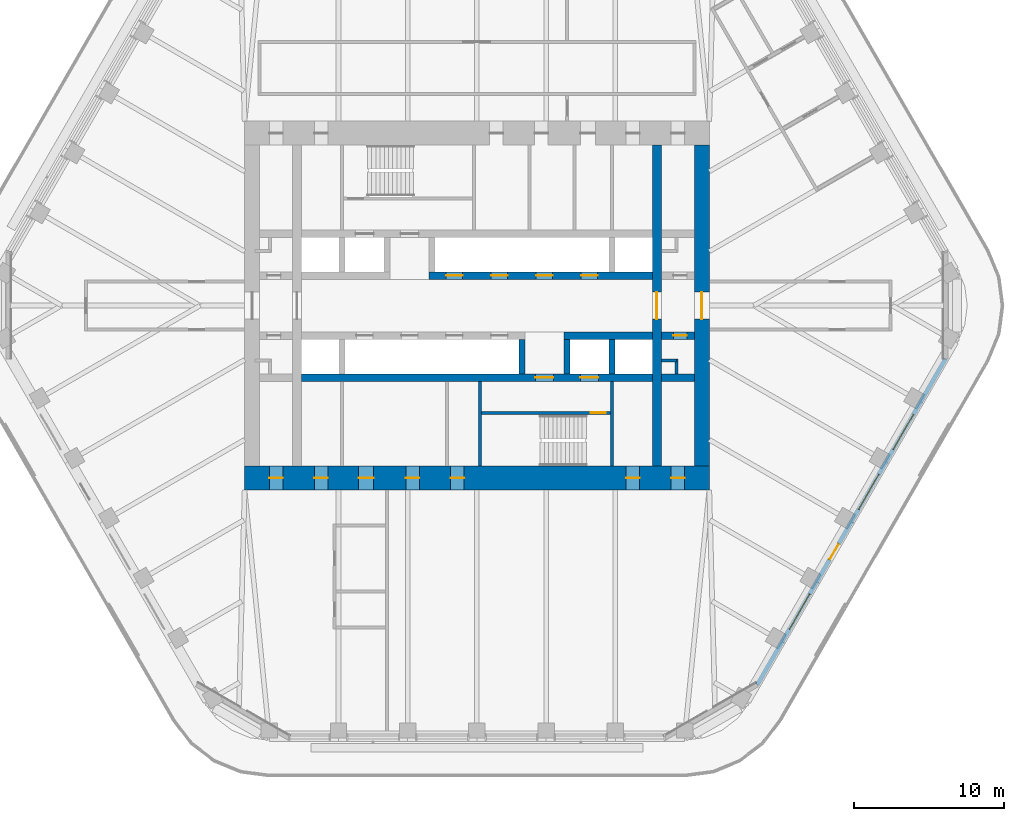
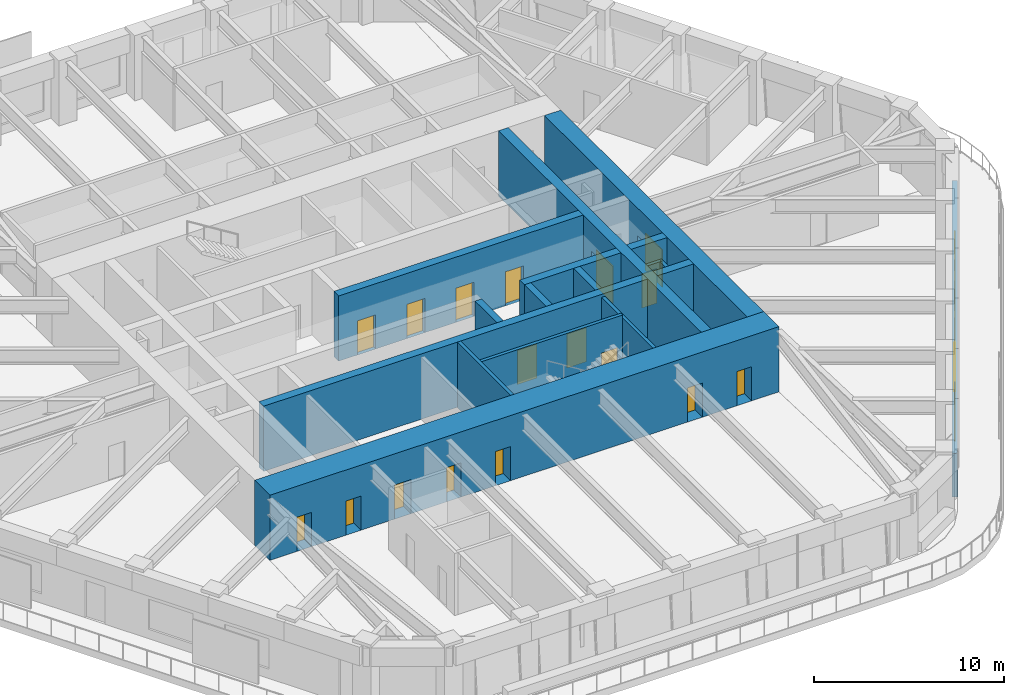
# One storey, part 15 of 20: 18 doors, 17 walls, 3 windows, 21 openings.
"""IFC4 building model written with IfcOpenShell, lengths in metres."""

from ifc_helpers import new_model, si_unit, direction, frame, frame_2d, origin, place, context, subcontext, project, spatial, rectangle, extrude, material, layer, layer_set, type_object, element, fill, save


model = new_model("IFC4")

# Units and contexts
model_context = context("Model", 3, precision=1e-05, world=origin(), true_north=direction((0.0, 1.0)))
body_context = subcontext(model_context, "Body", "Model", "MODEL_VIEW")
ifc_project = project(units=[si_unit("LENGTHUNIT", "METRE"), si_unit("AREAUNIT", "SQUARE_METRE"), si_unit("VOLUMEUNIT", "CUBIC_METRE"), si_unit("PLANEANGLEUNIT", "RADIAN"), si_unit("MASSUNIT", "GRAM", prefix="KILO")], contexts=[model_context])

# Site, building, storey
site_placement = place(None, origin())
site = spatial("IfcSite", under=ifc_project, at=site_placement, CompositionType="ELEMENT")
building_placement = place(site_placement, origin())
building = spatial("IfcBuilding", under=site, at=building_placement, Name="Tarfa Lantern Tower", CompositionType="ELEMENT")
storey_placement = place(building_placement, frame((0.0, 0.0, 291.10009765625)))
storey = spatial("IfcBuildingStorey", under=building, at=storey_placement, Name="L66", CompositionType="ELEMENT", Elevation=291.10009765625)

# Wall, openings, door, windows
ifc_material_1 = material(Name="Limestone cladding on blockwork", Category="masonry")
ifc_layer_1 = layer(ifc_material_1, 0.300048828125)
ifc_layer_set_1 = layer_set([ifc_layer_1], Name="EW1 STONE-CLAD WALL 300")
wall_type_1 = type_object("IfcWallType", Name="EW1 STONE-CLAD WALL 300", PredefinedType="SOLIDWALL", material=ifc_layer_set_1)
wall_1_placement = place(storey_placement, frame((18.70654296875, -25.299072265625, 0.0), z_axis=(0.0, 0.0, 1.0), x_axis=(0.500000442367, 0.866025148383, 0.0)))
wall_1 = element("IfcWall", 1, at=wall_1_placement, inside=storey, type_object=wall_type_1, Name="Stone wall SE", PredefinedType="SOLIDWALL", context=body_context, shape_type="SweptSolid", body=[
    extrude(rectangle(XDim=25.11279296875, YDim=0.300048828125, at=frame_2d((12.556396484375, 0.0))), origin(), (0.0, 0.0, 1.0), 2.7998046875),
])
opening_1_placement = place(wall_1_placement, frame((4.2783203125, 0.0, 0.60009765625)))
opening_1 = element("IfcOpeningElement", 2, at=opening_1_placement, cuts=wall_1, Name="Opening W14", PredefinedType="OPENING", context=body_context, shape_type="SweptSolid", body=[
    extrude(rectangle(XDim=2.699951171875, YDim=1.949951171875, at=frame_2d((1.35009765625, 0.97509765625))), frame((0.0, 0.159912109375, 0.0), z_axis=(0.0, -1.0, 0.0), x_axis=(1.0, 0.0, 0.0)), (0.0, 0.0, 1.0), 0.320068359375),
])
opening_2_placement = place(wall_1_placement, frame((9.64697265625, 0.0, 0.0)))
opening_2 = element("IfcOpeningElement", 3, at=opening_2_placement, cuts=wall_1, Name="Opening D44", PredefinedType="OPENING", context=body_context, shape_type="SweptSolid", body=[
    extrude(rectangle(XDim=1.199951171875, YDim=2.39990234375, at=frame_2d((0.60009765625, 1.199951171875))), frame((0.0, 0.159912109375, 0.0), z_axis=(0.0, -1.0, 0.0), x_axis=(1.0, 0.0, 0.0)), (0.0, 0.0, 1.0), 0.320068359375),
])
opening_3_placement = place(wall_1_placement, frame((13.515869140625, 0.0, 0.60009765625)))
opening_3 = element("IfcOpeningElement", 4, at=opening_3_placement, cuts=wall_1, Name="Opening W14", PredefinedType="OPENING", context=body_context, shape_type="SweptSolid", body=[
    extrude(rectangle(XDim=2.699951171875, YDim=1.949951171875, at=frame_2d((1.35009765625, 0.97509765625))), frame((0.0, 0.159912109375, 0.0), z_axis=(0.0, -1.0, 0.0), x_axis=(1.0, 0.0, 0.0)), (0.0, 0.0, 1.0), 0.320068359375),
])
opening_4_placement = place(wall_1_placement, frame((18.134521484375, 0.0, 0.60009765625)))
opening_4 = element("IfcOpeningElement", 5, at=opening_4_placement, cuts=wall_1, Name="Opening W14", PredefinedType="OPENING", context=body_context, shape_type="SweptSolid", body=[
    extrude(rectangle(XDim=2.699951171875, YDim=1.949951171875, at=frame_2d((1.35009765625, 0.97509765625))), frame((0.0, 0.159912109375, 0.0), z_axis=(0.0, -1.0, 0.0), x_axis=(1.0, 0.0, 0.0)), (0.0, 0.0, 1.0), 0.320068359375),
])
ifc_material_2 = material(Name="Aluminium framed glazed door", Category="aluminium")
door_type_1 = type_object("IfcDoorType", Name="BE3 BALCONY DOOR 1200x2400", OperationType="SINGLE_SWING_RIGHT", PredefinedType="DOOR", material=ifc_material_2)
door_1_placement = place(opening_2_placement, origin())
door_1 = element("IfcDoor", 6, at=door_1_placement, inside=storey, type_object=door_type_1, Name="Balcony door SE", OperationType="SINGLE_SWING_RIGHT", OverallHeight=2.39990234375, OverallWidth=1.199951171875, PredefinedType="DOOR", context=body_context, shape_type="SweptSolid", body=[
    extrude(rectangle(XDim=1.199951171875, YDim=2.39990234375, at=frame_2d((0.60009765625, 1.199951171875))), frame((0.0, 0.02490234375, 0.0), z_axis=(0.0, -1.0, 0.0), x_axis=(1.0, 0.0, 0.0)), (0.0, 0.0, 1.0), 0.050048828125),
])
fill(opening_2, door_1)
ifc_material_3 = material(Name="Aluminium frame, double glazed", Category="aluminium")
window_type = type_object("IfcWindowType", Name="W14 FULL-HEIGHT GLAZING 2700x1950", PartitioningType="SINGLE_PANEL", PredefinedType="WINDOW", material=ifc_material_3)
window_1_placement = place(opening_1_placement, origin())
window_1 = element("IfcWindow", 7, at=window_1_placement, inside=storey, type_object=window_type, Name="Window SE 2", OverallHeight=1.949951171875, OverallWidth=2.699951171875, PartitioningType="SINGLE_PANEL", PredefinedType="WINDOW", context=body_context, shape_type="SweptSolid", body=[
    extrude(rectangle(XDim=2.699951171875, YDim=1.949951171875, at=frame_2d((1.35009765625, 0.97509765625))), frame((0.0, 0.030029296875, 0.0), z_axis=(0.0, -1.0, 0.0), x_axis=(1.0, 0.0, 0.0)), (0.0, 0.0, 1.0), 0.06005859375),
])
fill(opening_1, window_1)
window_2_placement = place(opening_3_placement, origin())
window_2 = element("IfcWindow", 8, at=window_2_placement, inside=storey, type_object=window_type, Name="Window SE 4", OverallHeight=1.949951171875, OverallWidth=2.699951171875, PartitioningType="SINGLE_PANEL", PredefinedType="WINDOW", context=body_context, shape_type="SweptSolid", body=[
    extrude(rectangle(XDim=2.699951171875, YDim=1.949951171875, at=frame_2d((1.35009765625, 0.97509765625))), frame((0.0, 0.030029296875, 0.0), z_axis=(0.0, -1.0, 0.0), x_axis=(1.0, 0.0, 0.0)), (0.0, 0.0, 1.0), 0.06005859375),
])
fill(opening_3, window_2)
window_3_placement = place(opening_4_placement, origin())
window_3 = element("IfcWindow", 9, at=window_3_placement, inside=storey, type_object=window_type, Name="Window SE 5", OverallHeight=1.949951171875, OverallWidth=2.699951171875, PartitioningType="SINGLE_PANEL", PredefinedType="WINDOW", context=body_context, shape_type="SweptSolid", body=[
    extrude(rectangle(XDim=2.699951171875, YDim=1.949951171875, at=frame_2d((1.35009765625, 0.97509765625))), frame((0.0, 0.030029296875, 0.0), z_axis=(0.0, -1.0, 0.0), x_axis=(1.0, 0.0, 0.0)), (0.0, 0.0, 1.0), 0.06005859375),
])
fill(opening_4, window_3)

# Walls
ifc_material_4 = material(Name="Concrete blockwork", Category="masonry")
ifc_layer_2 = layer(ifc_material_4, 0.199951171875)
ifc_layer_set_2 = layer_set([ifc_layer_2], Name="IW1 BLOCKWORK PARTITION 200 EI 120")
wall_type_2 = type_object("IfcWallType", Name="IW1 BLOCKWORK PARTITION 200 EI 120", PredefinedType="PARTITIONING", material=ifc_layer_set_2)
wall_2_placement = place(storey_placement, frame((9.0, -5.050048828125, 0.0), z_axis=(0.0, 0.0, 1.0), x_axis=(0.0, -1.0, 0.0)))
element("IfcWall", 10, at=wall_2_placement, inside=storey, type_object=wall_type_2, Name="Core partition", PredefinedType="PARTITIONING", context=body_context, shape_type="SweptSolid", body=[
    extrude(rectangle(XDim=5.64990234375, YDim=0.199951171875, at=frame_2d((2.824951171875, 0.0))), origin(), (0.0, 0.0, 1.0), 4.0),
])
for number, where, z_axis, x_axis, name in (
    (11, (13.300048828125, -3.64990234375, 0.0), (0.0, 0.0, 1.0), (-1.0, 0.0, 0.0), "Core partition"),
    (12, (13.300048828125, -3.550048828125, 0.0), (0.0, 0.0, 1.0), (0.0, -1.0, 0.0), "Core partition"),
):
    element("IfcWall", number, at=place(storey_placement, frame(where, z_axis=z_axis, x_axis=x_axis)), inside=storey, type_object=wall_type_2, Name=name, PredefinedType="PARTITIONING", context=body_context, shape_type="SweptSolid", body=[
        extrude(rectangle(XDim=1.0, YDim=0.199951171875, at=frame_2d((0.5, 0.0))), origin(), (0.0, 0.0, 1.0), 4.0),
    ])
ifc_material_5 = material(Name="Concrete C80/95", Category="concrete")
ifc_layer_3 = layer(ifc_material_5, 0.199951171875)
ifc_layer_set_3 = layer_set([ifc_layer_3], Name="SW12 CORE WALL 200")
wall_type_3 = type_object("IfcWallType", Name="SW12 CORE WALL 200", PredefinedType="SHEAR", material=ifc_layer_set_3)
wall_3_placement = place(storey_placement, frame((0.199951171875, -5.050048828125, 0.0), z_axis=(0.0, 0.0, 1.0), x_axis=(0.0, -1.0, 0.0)))
element("IfcWall", 13, at=wall_3_placement, inside=storey, type_object=wall_type_3, Name="Core wall stair shaft S", PredefinedType="SHEAR", context=body_context, shape_type="SweptSolid", body=[
    extrude(rectangle(XDim=5.64990234375, YDim=0.199951171875, at=frame_2d((2.824951171875, 0.0))), origin(), (0.0, 0.0, 1.0), 4.199951171875),
])

# Wall, opening, door
wall_4_placement = place(storey_placement, frame((8.89990234375, -7.14990234375, 0.0), z_axis=(0.0, 0.0, 1.0), x_axis=(-1.0, 0.0, 0.0)))
wall_4 = element("IfcWall", 14, at=wall_4_placement, inside=storey, type_object=wall_type_3, Name="Core wall stair partition S", PredefinedType="SHEAR", context=body_context, shape_type="SweptSolid", body=[
    extrude(rectangle(XDim=8.599853515625, YDim=0.199951171875, at=frame_2d((4.2998046875, 0.0))), origin(), (0.0, 0.0, 1.0), 4.199951171875),
])
opening_5_placement = place(wall_4_placement, frame((0.300048828125, 0.0, 0.0)))
opening_5 = element("IfcOpeningElement", 15, at=opening_5_placement, cuts=wall_4, Name="Opening D24", PredefinedType="OPENING", context=body_context, shape_type="SweptSolid", body=[
    extrude(rectangle(XDim=1.0, YDim=2.199951171875, at=frame_2d((0.5, 1.10009765625))), frame((0.0, 0.10986328125, 0.0), z_axis=(0.0, -1.0, 0.0), x_axis=(1.0, 0.0, 0.0)), (0.0, 0.0, 1.0), 0.219970703125),
])
ifc_material_6 = material(Name="Steel fire door", Category="steel")
door_type_2 = type_object("IfcDoorType", Name="DF2 STAIR DOOR 1000x2200", OperationType="SINGLE_SWING_LEFT", PredefinedType="DOOR", material=ifc_material_6)
door_2_placement = place(opening_5_placement, origin())
door_2 = element("IfcDoor", 16, at=door_2_placement, inside=storey, type_object=door_type_2, Name="Stair door", OperationType="SINGLE_SWING_RIGHT", OverallHeight=2.199951171875, OverallWidth=1.0, PredefinedType="DOOR", context=body_context, shape_type="SweptSolid", body=[
    extrude(rectangle(XDim=1.0, YDim=2.199951171875, at=frame_2d((0.5, 1.10009765625))), frame((0.0, 0.02490234375, 0.0), z_axis=(0.0, -1.0, 0.0), x_axis=(1.0, 0.0, 0.0)), (0.0, 0.0, 1.0), 0.050048828125),
])
fill(opening_5, door_2)

ifc_layer_4 = layer(ifc_material_5, 1.0)
ifc_layer_set_4 = layer_set([ifc_layer_4], Name="SW2 CORE WALL 1000")
wall_type_4 = type_object("IfcWallType", Name="SW2 CORE WALL 1000", PredefinedType="SHEAR", material=ifc_layer_set_4)
wall_5_placement = place(storey_placement, frame((15.0, -10.699951171875, 0.0), z_axis=(0.0, 0.0, 1.0), x_axis=(0.0, 1.0, 0.0)))
wall_5 = element("IfcWall", 17, at=wall_5_placement, inside=storey, type_object=wall_type_4, Name="Core wall E", PredefinedType="SHEAR", context=body_context, shape_type="SweptSolid", body=[
    extrude(rectangle(XDim=21.39990234375, YDim=1.0, at=frame_2d((10.699951171875, 0.0))), origin(), (0.0, 0.0, 1.0), 4.199951171875),
])
opening_6_placement = place(wall_5_placement, frame((9.800048828125, 0.0, 0.0)))
opening_6 = element("IfcOpeningElement", 18, at=opening_6_placement, cuts=wall_5, Name="Opening D11", PredefinedType="OPENING", context=body_context, shape_type="SweptSolid", body=[
    extrude(rectangle(XDim=1.800048828125, YDim=2.39990234375, at=frame_2d((0.89990234375, 1.199951171875))), frame((0.0, 0.510009765625, 0.0), z_axis=(0.0, -1.0, 0.0), x_axis=(1.0, 0.0, 0.0)), (0.0, 0.0, 1.0), 1.02001953125),
])
door_type_3 = type_object("IfcDoorType", Name="DL1 LOBBY DOOR 1800x2400", OperationType="DOUBLE_DOOR_SINGLE_SWING", PredefinedType="DOOR", material=ifc_material_6)
door_3_placement = place(opening_6_placement, frame((1.800048828125, 0.0, 0.0), z_axis=(0.0, 0.0, 1.0), x_axis=(-1.0, 0.0, 0.0)))
door_3 = element("IfcDoor", 19, at=door_3_placement, inside=storey, type_object=door_type_3, Name="Lift lobby door", OperationType="DOUBLE_DOOR_SINGLE_SWING", OverallHeight=2.39990234375, OverallWidth=1.800048828125, PredefinedType="DOOR", context=body_context, shape_type="SweptSolid", body=[
    extrude(rectangle(XDim=1.800048828125, YDim=2.39990234375, at=frame_2d((0.89990234375, 1.199951171875))), frame((0.0, 0.02490234375, 0.0), z_axis=(0.0, -1.0, 0.0), x_axis=(1.0, 0.0, 0.0)), (0.0, 0.0, 1.0), 0.050048828125),
])
fill(opening_6, door_3)

# Wall, openings, doors
ifc_layer_5 = layer(ifc_material_5, 0.5)
ifc_layer_set_5 = layer_set([ifc_layer_5], Name="SW5 CORE WALL 500")
wall_type_5 = type_object("IfcWallType", Name="SW5 CORE WALL 500", PredefinedType="SHEAR", material=ifc_layer_set_5)
wall_6_placement = place(storey_placement, frame((-3.199951171875, 2.0, 0.0), z_axis=(0.0, 0.0, 1.0), x_axis=(1.0, 0.0, 0.0)))
wall_6 = element("IfcWall", 20, at=wall_6_placement, inside=storey, type_object=wall_type_5, Name="Core wall lobby east N", PredefinedType="SHEAR", context=body_context, shape_type="SweptSolid", body=[
    extrude(rectangle(XDim=14.89990234375, YDim=0.5, at=frame_2d((7.449951171875, 0.0))), origin(), (0.0, 0.0, 1.0), 4.199951171875),
])
opening_7_placement = place(wall_6_placement, frame((1.14990234375, 0.0, 0.0)))
opening_7 = element("IfcOpeningElement", 21, at=opening_7_placement, cuts=wall_6, Name="Opening LD03", PredefinedType="OPENING", context=body_context, shape_type="SweptSolid", body=[
    extrude(rectangle(XDim=1.10009765625, YDim=2.199951171875, at=frame_2d((0.550048828125, 1.10009765625))), frame((0.0, 0.260009765625, 0.0), z_axis=(0.0, -1.0, 0.0), x_axis=(1.0, 0.0, 0.0)), (0.0, 0.0, 1.0), 0.52001953125),
])
opening_8_placement = place(wall_6_placement, frame((4.14990234375, 0.0, 0.0)))
opening_8 = element("IfcOpeningElement", 22, at=opening_8_placement, cuts=wall_6, Name="Opening LD04", PredefinedType="OPENING", context=body_context, shape_type="SweptSolid", body=[
    extrude(rectangle(XDim=1.10009765625, YDim=2.199951171875, at=frame_2d((0.550048828125, 1.10009765625))), frame((0.0, 0.260009765625, 0.0), z_axis=(0.0, -1.0, 0.0), x_axis=(1.0, 0.0, 0.0)), (0.0, 0.0, 1.0), 0.52001953125),
])
opening_9_placement = place(wall_6_placement, frame((7.14990234375, 0.0, 0.0)))
opening_9 = element("IfcOpeningElement", 23, at=opening_9_placement, cuts=wall_6, Name="Opening LD05", PredefinedType="OPENING", context=body_context, shape_type="SweptSolid", body=[
    extrude(rectangle(XDim=1.10009765625, YDim=2.199951171875, at=frame_2d((0.550048828125, 1.10009765625))), frame((0.0, 0.260009765625, 0.0), z_axis=(0.0, -1.0, 0.0), x_axis=(1.0, 0.0, 0.0)), (0.0, 0.0, 1.0), 0.52001953125),
])
opening_10_placement = place(wall_6_placement, frame((10.14990234375, 0.0, 0.0)))
opening_10 = element("IfcOpeningElement", 24, at=opening_10_placement, cuts=wall_6, Name="Opening LD06", PredefinedType="OPENING", context=body_context, shape_type="SweptSolid", body=[
    extrude(rectangle(XDim=1.10009765625, YDim=2.199951171875, at=frame_2d((0.550048828125, 1.10009765625))), frame((0.0, 0.260009765625, 0.0), z_axis=(0.0, -1.0, 0.0), x_axis=(1.0, 0.0, 0.0)), (0.0, 0.0, 1.0), 0.52001953125),
])
ifc_material_7 = material(Name="Stainless steel lift door", Category="steel")
door_type_4 = type_object("IfcDoorType", Name="LD2 LIFT LANDING DOOR 1100x2200", OperationType="SLIDING_TO_LEFT", PredefinedType="DOOR", material=ifc_material_7)
door_4_placement = place(opening_7_placement, frame((1.10009765625, 0.0, 0.0), z_axis=(0.0, 0.0, 1.0), x_axis=(-1.0, 0.0, 0.0)))
door_4 = element("IfcDoor", 25, at=door_4_placement, inside=storey, type_object=door_type_4, Name="Landing door PC1", OperationType="SLIDING_TO_LEFT", OverallHeight=2.199951171875, OverallWidth=1.10009765625, PredefinedType="DOOR", context=body_context, shape_type="SweptSolid", body=[
    extrude(rectangle(XDim=1.10009765625, YDim=2.199951171875, at=frame_2d((0.550048828125, 1.10009765625))), frame((0.0, 0.02490234375, 0.0), z_axis=(0.0, -1.0, 0.0), x_axis=(1.0, 0.0, 0.0)), (0.0, 0.0, 1.0), 0.050048828125),
])
fill(opening_7, door_4)
door_5_placement = place(opening_8_placement, frame((1.10009765625, 0.0, 0.0), z_axis=(0.0, 0.0, 1.0), x_axis=(-1.0, 0.0, 0.0)))
door_5 = element("IfcDoor", 26, at=door_5_placement, inside=storey, type_object=door_type_4, Name="Landing door PC2", OperationType="SLIDING_TO_LEFT", OverallHeight=2.199951171875, OverallWidth=1.10009765625, PredefinedType="DOOR", context=body_context, shape_type="SweptSolid", body=[
    extrude(rectangle(XDim=1.10009765625, YDim=2.199951171875, at=frame_2d((0.550048828125, 1.10009765625))), frame((0.0, 0.02490234375, 0.0), z_axis=(0.0, -1.0, 0.0), x_axis=(1.0, 0.0, 0.0)), (0.0, 0.0, 1.0), 0.050048828125),
])
fill(opening_8, door_5)
door_6_placement = place(opening_9_placement, frame((1.10009765625, 0.0, 0.0), z_axis=(0.0, 0.0, 1.0), x_axis=(-1.0, 0.0, 0.0)))
door_6 = element("IfcDoor", 27, at=door_6_placement, inside=storey, type_object=door_type_4, Name="Landing door PC3", OperationType="SLIDING_TO_LEFT", OverallHeight=2.199951171875, OverallWidth=1.10009765625, PredefinedType="DOOR", context=body_context, shape_type="SweptSolid", body=[
    extrude(rectangle(XDim=1.10009765625, YDim=2.199951171875, at=frame_2d((0.550048828125, 1.10009765625))), frame((0.0, 0.02490234375, 0.0), z_axis=(0.0, -1.0, 0.0), x_axis=(1.0, 0.0, 0.0)), (0.0, 0.0, 1.0), 0.050048828125),
])
fill(opening_9, door_6)
door_7_placement = place(opening_10_placement, frame((1.10009765625, 0.0, 0.0), z_axis=(0.0, 0.0, 1.0), x_axis=(-1.0, 0.0, 0.0)))
door_7 = element("IfcDoor", 28, at=door_7_placement, inside=storey, type_object=door_type_4, Name="Landing door PC4", OperationType="SLIDING_TO_LEFT", OverallHeight=2.199951171875, OverallWidth=1.10009765625, PredefinedType="DOOR", context=body_context, shape_type="SweptSolid", body=[
    extrude(rectangle(XDim=1.10009765625, YDim=2.199951171875, at=frame_2d((0.550048828125, 1.10009765625))), frame((0.0, 0.02490234375, 0.0), z_axis=(0.0, -1.0, 0.0), x_axis=(1.0, 0.0, 0.0)), (0.0, 0.0, 1.0), 0.050048828125),
])
fill(opening_10, door_7)

# Wall, opening, door
wall_7_placement = place(storey_placement, frame((14.5, -2.0, 0.0), z_axis=(0.0, 0.0, 1.0), x_axis=(-1.0, 0.0, 0.0)))
wall_7 = element("IfcWall", 29, at=wall_7_placement, inside=storey, type_object=wall_type_5, Name="Core wall lobby west S", PredefinedType="SHEAR", context=body_context, shape_type="SweptSolid", body=[
    extrude(rectangle(XDim=2.199951171875, YDim=0.5, at=frame_2d((1.10009765625, 0.0))), origin(), (0.0, 0.0, 1.0), 4.199951171875),
])
opening_11_placement = place(wall_7_placement, frame((0.5, 0.0, 0.0)))
opening_11 = element("IfcOpeningElement", 30, at=opening_11_placement, cuts=wall_7, Name="Opening D16", PredefinedType="OPENING", context=body_context, shape_type="SweptSolid", body=[
    extrude(rectangle(XDim=0.89990234375, YDim=2.199951171875, at=frame_2d((0.449951171875, 1.10009765625))), frame((0.0, 0.260009765625, 0.0), z_axis=(0.0, -1.0, 0.0), x_axis=(1.0, 0.0, 0.0)), (0.0, 0.0, 1.0), 0.52001953125),
])
door_type_5 = type_object("IfcDoorType", Name="DF6 SERVICE ROOM DOOR 900x2200", OperationType="SINGLE_SWING_LEFT", PredefinedType="DOOR", material=ifc_material_6)
door_8_placement = place(opening_11_placement, origin())
door_8 = element("IfcDoor", 31, at=door_8_placement, inside=storey, type_object=door_type_5, Name="Service room door", OperationType="SINGLE_SWING_RIGHT", OverallHeight=2.199951171875, OverallWidth=0.89990234375, PredefinedType="DOOR", context=body_context, shape_type="SweptSolid", body=[
    extrude(rectangle(XDim=0.89990234375, YDim=2.199951171875, at=frame_2d((0.449951171875, 1.10009765625))), frame((0.0, 0.02490234375, 0.0), z_axis=(0.0, -1.0, 0.0), x_axis=(1.0, 0.0, 0.0)), (0.0, 0.0, 1.0), 0.050048828125),
])
fill(opening_11, door_8)

# Walls
wall_8_placement = place(storey_placement, frame((11.699951171875, -2.0, 0.0), z_axis=(0.0, 0.0, 1.0), x_axis=(-1.0, 0.0, 0.0)))
element("IfcWall", 32, at=wall_8_placement, inside=storey, type_object=wall_type_5, Name="Core wall lobby west S", PredefinedType="SHEAR", context=body_context, shape_type="SweptSolid", body=[
    extrude(rectangle(XDim=5.89990234375, YDim=0.5, at=frame_2d((2.949951171875, 0.0))), origin(), (0.0, 0.0, 1.0), 4.199951171875),
])
wall_9_placement = place(storey_placement, frame((14.5, -4.800048828125, 0.0), z_axis=(0.0, 0.0, 1.0), x_axis=(-1.0, 0.0, 0.0)))
element("IfcWall", 33, at=wall_9_placement, inside=storey, type_object=wall_type_5, Name="Core wall rear S", PredefinedType="SHEAR", context=body_context, shape_type="SweptSolid", body=[
    extrude(rectangle(XDim=2.199951171875, YDim=0.5, at=frame_2d((1.10009765625, 0.0))), origin(), (0.0, 0.0, 1.0), 4.199951171875),
])

# Wall, openings, doors
wall_10_placement = place(storey_placement, frame((11.699951171875, -4.800048828125, 0.0), z_axis=(0.0, 0.0, 1.0), x_axis=(-1.0, 0.0, 0.0)))
wall_10 = element("IfcWall", 34, at=wall_10_placement, inside=storey, type_object=wall_type_5, Name="Core wall rear S", PredefinedType="SHEAR", context=body_context, shape_type="SweptSolid", body=[
    extrude(rectangle(XDim=23.39990234375, YDim=0.5, at=frame_2d((11.699951171875, 0.0))), origin(), (0.0, 0.0, 1.0), 4.199951171875),
])
opening_12_placement = place(wall_10_placement, frame((6.60009765625, 0.0, 0.0)))
opening_12 = element("IfcOpeningElement", 35, at=opening_12_placement, cuts=wall_10, Name="Opening D10", PredefinedType="OPENING", context=body_context, shape_type="SweptSolid", body=[
    extrude(rectangle(XDim=1.199951171875, YDim=2.199951171875, at=frame_2d((0.60009765625, 1.10009765625))), frame((0.0, 0.260009765625, 0.0), z_axis=(0.0, -1.0, 0.0), x_axis=(1.0, 0.0, 0.0)), (0.0, 0.0, 1.0), 0.52001953125),
])
opening_13_placement = place(wall_10_placement, frame((3.60009765625, 0.0, 0.0)))
opening_13 = element("IfcOpeningElement", 36, at=opening_13_placement, cuts=wall_10, Name="Opening LD02", PredefinedType="OPENING", context=body_context, shape_type="SweptSolid", body=[
    extrude(rectangle(XDim=1.199951171875, YDim=2.199951171875, at=frame_2d((0.60009765625, 1.10009765625))), frame((0.0, 0.260009765625, 0.0), z_axis=(0.0, -1.0, 0.0), x_axis=(1.0, 0.0, 0.0)), (0.0, 0.0, 1.0), 0.52001953125),
])
door_type_6 = type_object("IfcDoorType", Name="DF1 FIREFIGHTING LOBBY DOOR 1200x2200", OperationType="SINGLE_SWING_LEFT", PredefinedType="DOOR", material=ifc_material_6)
door_9_placement = place(opening_12_placement, origin())
door_9 = element("IfcDoor", 37, at=door_9_placement, inside=storey, type_object=door_type_6, Name="Firefighting lobby door", OperationType="SINGLE_SWING_LEFT", OverallHeight=2.199951171875, OverallWidth=1.199951171875, PredefinedType="DOOR", context=body_context, shape_type="SweptSolid", body=[
    extrude(rectangle(XDim=1.199951171875, YDim=2.199951171875, at=frame_2d((0.60009765625, 1.10009765625))), frame((0.0, 0.02490234375, 0.0), z_axis=(0.0, -1.0, 0.0), x_axis=(1.0, 0.0, 0.0)), (0.0, 0.0, 1.0), 0.050048828125),
])
fill(opening_12, door_9)
door_type_7 = type_object("IfcDoorType", Name="LD1 LIFT LANDING DOOR 1200x2200", OperationType="SLIDING_TO_LEFT", PredefinedType="DOOR", material=ifc_material_7)
door_10_placement = place(opening_13_placement, origin())
door_10 = element("IfcDoor", 38, at=door_10_placement, inside=storey, type_object=door_type_7, Name="Landing door FL2", OperationType="SLIDING_TO_LEFT", OverallHeight=2.199951171875, OverallWidth=1.199951171875, PredefinedType="DOOR", context=body_context, shape_type="SweptSolid", body=[
    extrude(rectangle(XDim=1.199951171875, YDim=2.199951171875, at=frame_2d((0.60009765625, 1.10009765625))), frame((0.0, 0.02490234375, 0.0), z_axis=(0.0, -1.0, 0.0), x_axis=(1.0, 0.0, 0.0)), (0.0, 0.0, 1.0), 0.050048828125),
])
fill(opening_13, door_10)

# Walls
ifc_layer_6 = layer(ifc_material_5, 0.39990234375)
ifc_layer_set_6 = layer_set([ifc_layer_6], Name="SW6 CORE WALL 400")
wall_type_6 = type_object("IfcWallType", Name="SW6 CORE WALL 400", PredefinedType="SHEAR", material=ifc_layer_set_6)
for number, where, z_axis, x_axis, name in (
    (39, (9.0, -2.25, 0.0), (0.0, 0.0, 1.0), (0.0, -1.0, 0.0), "Core wall divider S"),
    (40, (6.0, -2.25, 0.0), (0.0, 0.0, 1.0), (0.0, -1.0, 0.0), "Core wall divider S"),
    (41, (3.0, -2.25, 0.0), (0.0, 0.0, 1.0), (0.0, -1.0, 0.0), "Core wall divider S"),
):
    element("IfcWall", number, at=place(storey_placement, frame(where, z_axis=z_axis, x_axis=x_axis)), inside=storey, type_object=wall_type_6, Name=name, PredefinedType="SHEAR", context=body_context, shape_type="SweptSolid", body=[
        extrude(rectangle(XDim=2.300048828125, YDim=0.39990234375, at=frame_2d((1.14990234375, 0.0))), origin(), (0.0, 0.0, 1.0), 4.199951171875),
    ])

# Wall, openings, doors
ifc_layer_7 = layer(ifc_material_5, 1.60009765625)
ifc_layer_set_7 = layer_set([ifc_layer_7], Name="SW7 CORE WALL 1600")
wall_type_7 = type_object("IfcWallType", Name="SW7 CORE WALL 1600", PredefinedType="SHEAR", material=ifc_layer_set_7)
wall_11_placement = place(storey_placement, frame((15.5, -11.5, 0.0), z_axis=(0.0, 0.0, 1.0), x_axis=(-1.0, 0.0, 0.0)))
wall_11 = element("IfcWall", 42, at=wall_11_placement, inside=storey, type_object=wall_type_7, Name="Core wall S", PredefinedType="SHEAR", context=body_context, shape_type="SweptSolid", body=[
    extrude(rectangle(XDim=31.0, YDim=1.60009765625, at=frame_2d((15.5, 0.0))), origin(), (0.0, 0.0, 1.0), 4.199951171875),
])
opening_14_placement = place(wall_11_placement, frame((16.35009765625, 0.0, 0.0)))
opening_14 = element("IfcOpeningElement", 43, at=opening_14_placement, cuts=wall_11, Name="Opening D18", PredefinedType="OPENING", context=body_context, shape_type="SweptSolid", body=[
    extrude(rectangle(XDim=0.89990234375, YDim=2.199951171875, at=frame_2d((0.449951171875, 1.10009765625))), frame((0.0, 0.81005859375, 0.0), z_axis=(0.0, -1.0, 0.0), x_axis=(1.0, 0.0, 0.0)), (0.0, 0.0, 1.0), 1.6201171875),
])
opening_15_placement = place(wall_11_placement, frame((19.35009765625, 0.0, 0.0)))
opening_15 = element("IfcOpeningElement", 44, at=opening_15_placement, cuts=wall_11, Name="Opening D20", PredefinedType="OPENING", context=body_context, shape_type="SweptSolid", body=[
    extrude(rectangle(XDim=0.89990234375, YDim=2.199951171875, at=frame_2d((0.449951171875, 1.10009765625))), frame((0.0, 0.81005859375, 0.0), z_axis=(0.0, -1.0, 0.0), x_axis=(1.0, 0.0, 0.0)), (0.0, 0.0, 1.0), 1.6201171875),
])
opening_16_placement = place(wall_11_placement, frame((22.39990234375, 0.0, 0.0)))
opening_16 = element("IfcOpeningElement", 45, at=opening_16_placement, cuts=wall_11, Name="Opening D22", PredefinedType="OPENING", context=body_context, shape_type="SweptSolid", body=[
    extrude(rectangle(XDim=1.0, YDim=2.199951171875, at=frame_2d((0.5, 1.10009765625))), frame((0.0, 0.81005859375, 0.0), z_axis=(0.0, -1.0, 0.0), x_axis=(1.0, 0.0, 0.0)), (0.0, 0.0, 1.0), 1.6201171875),
])
opening_17_placement = place(wall_11_placement, frame((1.64990234375, 0.0, 0.0)))
opening_17 = element("IfcOpeningElement", 46, at=opening_17_placement, cuts=wall_11, Name="Opening D08", PredefinedType="OPENING", context=body_context, shape_type="SweptSolid", body=[
    extrude(rectangle(XDim=0.89990234375, YDim=2.199951171875, at=frame_2d((0.449951171875, 1.10009765625))), frame((0.0, 0.81005859375, 0.0), z_axis=(0.0, -1.0, 0.0), x_axis=(1.0, 0.0, 0.0)), (0.0, 0.0, 1.0), 1.6201171875),
])
opening_18_placement = place(wall_11_placement, frame((4.64990234375, 0.0, 0.0)))
opening_18 = element("IfcOpeningElement", 47, at=opening_18_placement, cuts=wall_11, Name="Opening D06", PredefinedType="OPENING", context=body_context, shape_type="SweptSolid", body=[
    extrude(rectangle(XDim=0.89990234375, YDim=2.199951171875, at=frame_2d((0.449951171875, 1.10009765625))), frame((0.0, 0.81005859375, 0.0), z_axis=(0.0, -1.0, 0.0), x_axis=(1.0, 0.0, 0.0)), (0.0, 0.0, 1.0), 1.6201171875),
])
opening_19_placement = place(wall_11_placement, frame((25.449951171875, 0.0, 0.0)))
opening_19 = element("IfcOpeningElement", 48, at=opening_19_placement, cuts=wall_11, Name="Opening D04", PredefinedType="OPENING", context=body_context, shape_type="SweptSolid", body=[
    extrude(rectangle(XDim=0.89990234375, YDim=2.199951171875, at=frame_2d((0.449951171875, 1.10009765625))), frame((0.0, 0.81005859375, 0.0), z_axis=(0.0, -1.0, 0.0), x_axis=(1.0, 0.0, 0.0)), (0.0, 0.0, 1.0), 1.6201171875),
])
opening_20_placement = place(wall_11_placement, frame((28.449951171875, 0.0, 0.0)))
opening_20 = element("IfcOpeningElement", 49, at=opening_20_placement, cuts=wall_11, Name="Opening D02", PredefinedType="OPENING", context=body_context, shape_type="SweptSolid", body=[
    extrude(rectangle(XDim=0.89990234375, YDim=2.199951171875, at=frame_2d((0.449951171875, 1.10009765625))), frame((0.0, 0.81005859375, 0.0), z_axis=(0.0, -1.0, 0.0), x_axis=(1.0, 0.0, 0.0)), (0.0, 0.0, 1.0), 1.6201171875),
])
door_type_8 = type_object("IfcDoorType", Name="DF3 CORE ROOM DOOR 900x2200", OperationType="SINGLE_SWING_LEFT", PredefinedType="DOOR", material=ifc_material_6)
door_11_placement = place(opening_14_placement, frame((0.89990234375, 0.0, 0.0), z_axis=(0.0, 0.0, 1.0), x_axis=(-1.0, 0.0, 0.0)))
door_11 = element("IfcDoor", 50, at=door_11_placement, inside=storey, type_object=door_type_8, Name="Core door", OperationType="SINGLE_SWING_RIGHT", OverallHeight=2.199951171875, OverallWidth=0.89990234375, PredefinedType="DOOR", context=body_context, shape_type="SweptSolid", body=[
    extrude(rectangle(XDim=0.89990234375, YDim=2.199951171875, at=frame_2d((0.449951171875, 1.10009765625))), frame((0.0, 0.02490234375, 0.0), z_axis=(0.0, -1.0, 0.0), x_axis=(1.0, 0.0, 0.0)), (0.0, 0.0, 1.0), 0.050048828125),
])
fill(opening_14, door_11)
door_12_placement = place(opening_15_placement, frame((0.89990234375, 0.0, 0.0), z_axis=(0.0, 0.0, 1.0), x_axis=(-1.0, 0.0, 0.0)))
door_12 = element("IfcDoor", 51, at=door_12_placement, inside=storey, type_object=door_type_8, Name="Core door", OperationType="SINGLE_SWING_LEFT", OverallHeight=2.199951171875, OverallWidth=0.89990234375, PredefinedType="DOOR", context=body_context, shape_type="SweptSolid", body=[
    extrude(rectangle(XDim=0.89990234375, YDim=2.199951171875, at=frame_2d((0.449951171875, 1.10009765625))), frame((0.0, 0.02490234375, 0.0), z_axis=(0.0, -1.0, 0.0), x_axis=(1.0, 0.0, 0.0)), (0.0, 0.0, 1.0), 0.050048828125),
])
fill(opening_15, door_12)
door_type_9 = type_object("IfcDoorType", Name="DF4 CORE ROOM DOOR 1000x2200", OperationType="SINGLE_SWING_LEFT", PredefinedType="DOOR", material=ifc_material_6)
door_13_placement = place(opening_16_placement, frame((1.0, 0.0, 0.0), z_axis=(0.0, 0.0, 1.0), x_axis=(-1.0, 0.0, 0.0)))
door_13 = element("IfcDoor", 52, at=door_13_placement, inside=storey, type_object=door_type_9, Name="Core door", OperationType="SINGLE_SWING_RIGHT", OverallHeight=2.199951171875, OverallWidth=1.0, PredefinedType="DOOR", context=body_context, shape_type="SweptSolid", body=[
    extrude(rectangle(XDim=1.0, YDim=2.199951171875, at=frame_2d((0.5, 1.10009765625))), frame((0.0, 0.02490234375, 0.0), z_axis=(0.0, -1.0, 0.0), x_axis=(1.0, 0.0, 0.0)), (0.0, 0.0, 1.0), 0.050048828125),
])
fill(opening_16, door_13)
door_type_10 = type_object("IfcDoorType", Name="DF5 RISER DOOR 900x2200", OperationType="SINGLE_SWING_LEFT", PredefinedType="DOOR", material=ifc_material_6)
door_14_placement = place(opening_17_placement, frame((0.89990234375, 0.0, 0.0), z_axis=(0.0, 0.0, 1.0), x_axis=(-1.0, 0.0, 0.0)))
door_14 = element("IfcDoor", 53, at=door_14_placement, inside=storey, type_object=door_type_10, Name="Riser door", OperationType="SINGLE_SWING_LEFT", OverallHeight=2.199951171875, OverallWidth=0.89990234375, PredefinedType="DOOR", context=body_context, shape_type="SweptSolid", body=[
    extrude(rectangle(XDim=0.89990234375, YDim=2.199951171875, at=frame_2d((0.449951171875, 1.10009765625))), frame((0.0, 0.02490234375, 0.0), z_axis=(0.0, -1.0, 0.0), x_axis=(1.0, 0.0, 0.0)), (0.0, 0.0, 1.0), 0.050048828125),
])
fill(opening_17, door_14)
door_15_placement = place(opening_18_placement, frame((0.89990234375, 0.0, 0.0), z_axis=(0.0, 0.0, 1.0), x_axis=(-1.0, 0.0, 0.0)))
door_15 = element("IfcDoor", 54, at=door_15_placement, inside=storey, type_object=door_type_10, Name="Riser door", OperationType="SINGLE_SWING_LEFT", OverallHeight=2.199951171875, OverallWidth=0.89990234375, PredefinedType="DOOR", context=body_context, shape_type="SweptSolid", body=[
    extrude(rectangle(XDim=0.89990234375, YDim=2.199951171875, at=frame_2d((0.449951171875, 1.10009765625))), frame((0.0, 0.02490234375, 0.0), z_axis=(0.0, -1.0, 0.0), x_axis=(1.0, 0.0, 0.0)), (0.0, 0.0, 1.0), 0.050048828125),
])
fill(opening_18, door_15)
door_16_placement = place(opening_19_placement, frame((0.89990234375, 0.0, 0.0), z_axis=(0.0, 0.0, 1.0), x_axis=(-1.0, 0.0, 0.0)))
door_16 = element("IfcDoor", 55, at=door_16_placement, inside=storey, type_object=door_type_10, Name="Riser door", OperationType="SINGLE_SWING_RIGHT", OverallHeight=2.199951171875, OverallWidth=0.89990234375, PredefinedType="DOOR", context=body_context, shape_type="SweptSolid", body=[
    extrude(rectangle(XDim=0.89990234375, YDim=2.199951171875, at=frame_2d((0.449951171875, 1.10009765625))), frame((0.0, 0.02490234375, 0.0), z_axis=(0.0, -1.0, 0.0), x_axis=(1.0, 0.0, 0.0)), (0.0, 0.0, 1.0), 0.050048828125),
])
fill(opening_19, door_16)
door_17_placement = place(opening_20_placement, frame((0.89990234375, 0.0, 0.0), z_axis=(0.0, 0.0, 1.0), x_axis=(-1.0, 0.0, 0.0)))
door_17 = element("IfcDoor", 56, at=door_17_placement, inside=storey, type_object=door_type_10, Name="Riser door", OperationType="SINGLE_SWING_RIGHT", OverallHeight=2.199951171875, OverallWidth=0.89990234375, PredefinedType="DOOR", context=body_context, shape_type="SweptSolid", body=[
    extrude(rectangle(XDim=0.89990234375, YDim=2.199951171875, at=frame_2d((0.449951171875, 1.10009765625))), frame((0.0, 0.02490234375, 0.0), z_axis=(0.0, -1.0, 0.0), x_axis=(1.0, 0.0, 0.0)), (0.0, 0.0, 1.0), 0.050048828125),
])
fill(opening_20, door_17)

# Wall, opening, door
ifc_layer_8 = layer(ifc_material_5, 0.60009765625)
ifc_layer_set_8 = layer_set([ifc_layer_8], Name="SW9 CORE WALL 600")
wall_type_8 = type_object("IfcWallType", Name="SW9 CORE WALL 600", PredefinedType="SHEAR", material=ifc_layer_set_8)
wall_12_placement = place(storey_placement, frame((12.0, -10.699951171875, 0.0), z_axis=(0.0, 0.0, 1.0), x_axis=(0.0, 1.0, 0.0)))
wall_12 = element("IfcWall", 57, at=wall_12_placement, inside=storey, type_object=wall_type_8, Name="Core wall cross 12 m east", PredefinedType="SHEAR", context=body_context, shape_type="SweptSolid", body=[
    extrude(rectangle(XDim=21.39990234375, YDim=0.60009765625, at=frame_2d((10.699951171875, 0.0))), origin(), (0.0, 0.0, 1.0), 4.199951171875),
])
opening_21_placement = place(wall_12_placement, frame((9.800048828125, 0.0, 0.0)))
opening_21 = element("IfcOpeningElement", 58, at=opening_21_placement, cuts=wall_12, Name="Opening D25", PredefinedType="OPENING", context=body_context, shape_type="SweptSolid", body=[
    extrude(rectangle(XDim=1.800048828125, YDim=2.39990234375, at=frame_2d((0.89990234375, 1.199951171875))), frame((0.0, 0.31005859375, 0.0), z_axis=(0.0, -1.0, 0.0), x_axis=(1.0, 0.0, 0.0)), (0.0, 0.0, 1.0), 0.6201171875),
])
door_18_placement = place(opening_21_placement, origin())
door_18 = element("IfcDoor", 59, at=door_18_placement, inside=storey, type_object=door_type_3, Name="Lift lobby door", OperationType="DOUBLE_DOOR_SINGLE_SWING", OverallHeight=2.39990234375, OverallWidth=1.800048828125, PredefinedType="DOOR", context=body_context, shape_type="SweptSolid", body=[
    extrude(rectangle(XDim=1.800048828125, YDim=2.39990234375, at=frame_2d((0.89990234375, 1.199951171875))), frame((0.0, 0.02490234375, 0.0), z_axis=(0.0, -1.0, 0.0), x_axis=(1.0, 0.0, 0.0)), (0.0, 0.0, 1.0), 0.050048828125),
])
fill(opening_21, door_18)

save(model, "model.ifc")
